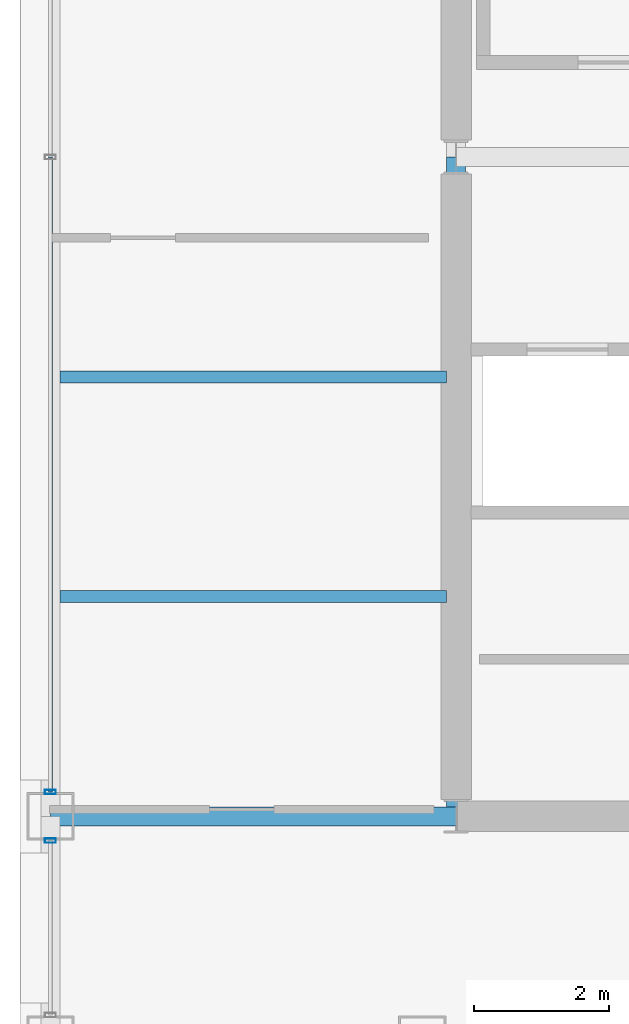
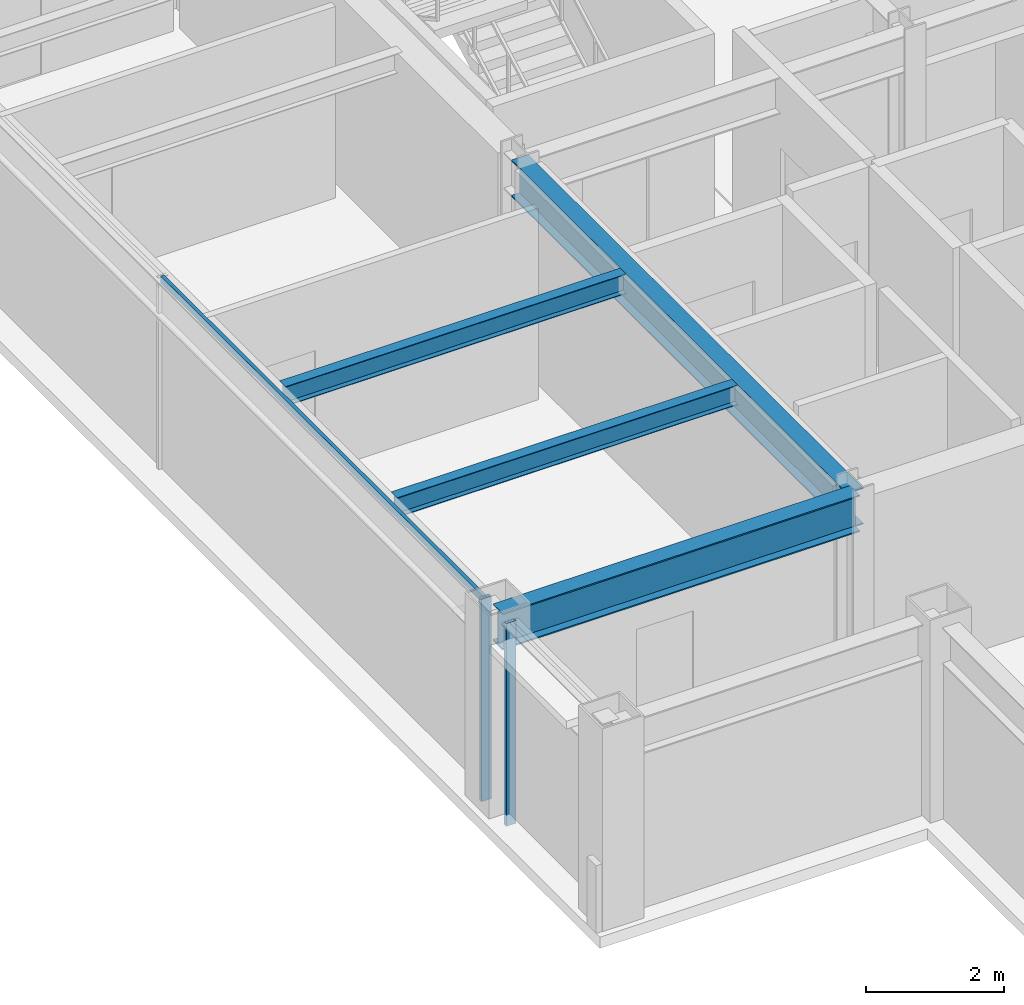
# One storey, part 4 of 30: 4 beams, 3 members, 2 elements without a shape of their own.
"""IFC4 building model written with IfcOpenShell, lengths in metres."""

from ifc_helpers import new_model, si_unit, direction, frame, origin, origin_2d, place, context, subcontext, project, spatial, hollow_rectangle, i_section, extrude, material, layer, layer_set, material_profile, profile_set, type_object, element, aggregate, save


model = new_model("IFC4")

# Units and contexts
model_context = context("Model", 3, precision=1e-05, world=origin(), true_north=direction((0.0, 1.0)))
body_context = subcontext(model_context, "Body", "Model", "MODEL_VIEW")
ifc_project = project(units=[si_unit("LENGTHUNIT", "METRE"), si_unit("AREAUNIT", "SQUARE_METRE"), si_unit("VOLUMEUNIT", "CUBIC_METRE"), si_unit("PLANEANGLEUNIT", "RADIAN"), si_unit("MASSUNIT", "GRAM", prefix="KILO")], contexts=[model_context])

# Site, building, storey
site_placement = place(None, origin())
site = spatial("IfcSite", under=ifc_project, at=site_placement, CompositionType="ELEMENT")
building_placement = place(site_placement, origin())
building = spatial("IfcBuilding", under=site, at=building_placement, Name="Brelmoor Portico Tower", CompositionType="ELEMENT")
storey_placement = place(building_placement, frame((0.0, 0.0, 187.5)))
storey = spatial("IfcBuildingStorey", under=building, at=storey_placement, Name="L49", CompositionType="ELEMENT", Elevation=187.5)

# Beams
ifc_material_1 = material(Name="Steel Q355B", Category="steel")
ifc_material_profile_1 = material_profile(ifc_material_1, i_section(OverallWidth=0.175048828125, OverallDepth=0.35009765625, WebThickness=0.007080078125, FlangeThickness=0.010986328125, at=origin_2d()), Name="HN 350x175x7x11")
ifc_profile_set_1 = profile_set([ifc_material_profile_1], Name="Steel Q355B")
beam_type_1 = type_object("IfcBeamType", Name="BM-JS-350", PredefinedType="JOIST", material=ifc_profile_set_1)
for number, where, z_axis, x_axis, name in (
    (1, (-20.409912109375, -6.5, 3.22509765625), (1.0, 0.0, 0.0), (0.0, 1.0, 0.0), "L49 Secondary Wing Joist JS-W05"),
    (2, (-20.409912109375, -3.25, 3.22509765625), (1.0, 0.0, 0.0), (0.0, 1.0, 0.0), "L49 Secondary Wing Joist JS-W06"),
):
    element("IfcBeam", number, at=place(storey_placement, frame(where, z_axis=z_axis, x_axis=x_axis)), inside=storey, type_object=beam_type_1, Name=name, PredefinedType="JOIST", context=body_context, shape_type="SweptSolid", body=[
        extrude(i_section(OverallWidth=0.175048828125, OverallDepth=0.35009765625, WebThickness=0.007080078125, FlangeThickness=0.010986328125, at=origin_2d()), origin(), (0.0, 0.0, 1.0), 5.719970703125),
    ])
ifc_material_profile_2 = material_profile(ifc_material_1, i_section(OverallWidth=0.280029296875, OverallDepth=0.64990234375, WebThickness=0.012939453125, FlangeThickness=0.02197265625, at=origin_2d()), Name="HN 650x280x13x22")
ifc_profile_set_2 = profile_set([ifc_material_profile_2], Name="Steel Q355B")
beam_type_2 = type_object("IfcBeamType", Name="BM-PG-650", PredefinedType="BEAM", material=ifc_profile_set_2)
beam_1_placement = place(storey_placement, frame((-14.550048828125, -9.75, 3.074951171875), z_axis=(0.0, 1.0, 0.0), x_axis=(-1.0, 0.0, 0.0)))
element("IfcBeam", 3, at=beam_1_placement, inside=storey, type_object=beam_type_2, Name="L49 Primary Floor Girder PG-01", PredefinedType="BEAM", context=body_context, shape_type="SweptSolid", body=[
    extrude(i_section(OverallWidth=0.280029296875, OverallDepth=0.64990234375, WebThickness=0.012939453125, FlangeThickness=0.02197265625, at=origin_2d()), origin(), (0.0, 0.0, 1.0), 9.75),
])
beam_2_placement = place(storey_placement, frame((-20.550048828125, -9.75, 3.074951171875), z_axis=(1.0, 0.0, 0.0), x_axis=(0.0, 1.0, 0.0)))
element("IfcBeam", 4, at=beam_2_placement, inside=storey, type_object=beam_type_2, Name="L49 Primary Floor Girder PG-11", PredefinedType="BEAM", context=body_context, shape_type="SweptSolid", body=[
    extrude(i_section(OverallWidth=0.280029296875, OverallDepth=0.64990234375, WebThickness=0.012939453125, FlangeThickness=0.02197265625, at=origin_2d()), origin(), (0.0, 0.0, 1.0), 6.0),
])

# Curtain wall, member
ifc_material_2 = material(Name="Anodised Aluminium Alloy 6063-T6", Category="aluminium")
ifc_layer = layer(ifc_material_2, 0.179931640625)
ifc_layer_set = layer_set([ifc_layer], Name="Anodised Aluminium Alloy 6063-T6")
curtain_wall_type = type_object("IfcCurtainWallType", Name="CW-TOWER-Z3-XB", PredefinedType="NOTDEFINED", material=ifc_layer_set)
curtain_wall_1_placement = place(storey_placement, origin())
curtain_wall_1 = element("IfcCurtainWall", 5, at=curtain_wall_1_placement, inside=storey, type_object=curtain_wall_type, Name="L49 Curtain Wall CW-L49-03-1", PredefinedType="NOTDEFINED")
ifc_material_profile_3 = material_profile(ifc_material_2, hollow_rectangle(XDim=0.06494140625, YDim=0.1650390625, WallThickness=0.00390625, at=origin_2d()), Name="ALU MULLION 65x165")
ifc_profile_set_3 = profile_set([ifc_material_profile_3], Name="Anodised Aluminium Alloy 6063-T6")
member_type_1 = type_object("IfcMemberType", Name="MB-CW-MULL-165", PredefinedType="MULLION", material=ifc_profile_set_3)
member_1_placement = place(storey_placement, frame((-20.550048828125, -10.110107421875, -0.199951171875), z_axis=(0.0, 0.0, 1.0), x_axis=(0.0, 1.0, 0.0)))
member_1 = element("IfcMember", 6, at=member_1_placement, type_object=member_type_1, Name="CW-L49-03-1 Mullion 01", PredefinedType="MULLION", context=body_context, shape_type="SweptSolid", body=[
    extrude(hollow_rectangle(XDim=0.06494140625, YDim=0.1650390625, WallThickness=0.00390625, at=origin_2d()), origin(), (0.0, 0.0, 1.0), 3.599853515625),
])
aggregate(curtain_wall_1, [member_1])

# Curtain wall, members
curtain_wall_2_placement = place(storey_placement, origin())
curtain_wall_2 = element("IfcCurtainWall", 7, at=curtain_wall_2_placement, inside=storey, type_object=curtain_wall_type, Name="L49 Curtain Wall CW-L49-03-2", PredefinedType="NOTDEFINED")
member_2_placement = place(storey_placement, frame((-20.550048828125, -9.389892578125, -0.199951171875), z_axis=(0.0, 0.0, 1.0), x_axis=(0.0, 1.0, 0.0)))
member_2 = element("IfcMember", 8, at=member_2_placement, type_object=member_type_1, Name="CW-L49-03-2 Mullion 00", PredefinedType="MULLION", context=body_context, shape_type="SweptSolid", body=[
    extrude(hollow_rectangle(XDim=0.06494140625, YDim=0.1650390625, WallThickness=0.00390625, at=origin_2d()), origin(), (0.0, 0.0, 1.0), 3.599853515625),
])
ifc_material_profile_4 = material_profile(ifc_material_2, hollow_rectangle(XDim=0.06005859375, YDim=0.125, WallThickness=0.00341796875, at=origin_2d()), Name="ALU TRANSOM 60x125")
ifc_profile_set_4 = profile_set([ifc_material_profile_4], Name="Anodised Aluminium Alloy 6063-T6")
member_type_2 = type_object("IfcMemberType", Name="MB-CW-TRAN-125", PredefinedType="USERDEFINED", material=ifc_profile_set_4)
member_3_placement = place(storey_placement, frame((-20.550048828125, -9.389892578125, 3.33740234375), z_axis=(0.0, 1.0, 0.0), x_axis=(-1.0, 0.0, 0.0)))
member_3 = element("IfcMember", 9, at=member_3_placement, type_object=member_type_2, Name="CW-L49-03-2 Transom 1-00", ObjectType="TRANSOM", PredefinedType="USERDEFINED", context=body_context, shape_type="SweptSolid", body=[
    extrude(hollow_rectangle(XDim=0.06005859375, YDim=0.125, WallThickness=0.00341796875, at=origin_2d()), origin(), (0.0, 0.0, 1.0), 9.389892578125),
])
aggregate(curtain_wall_2, [member_2, member_3])

save(model, "model.ifc")
